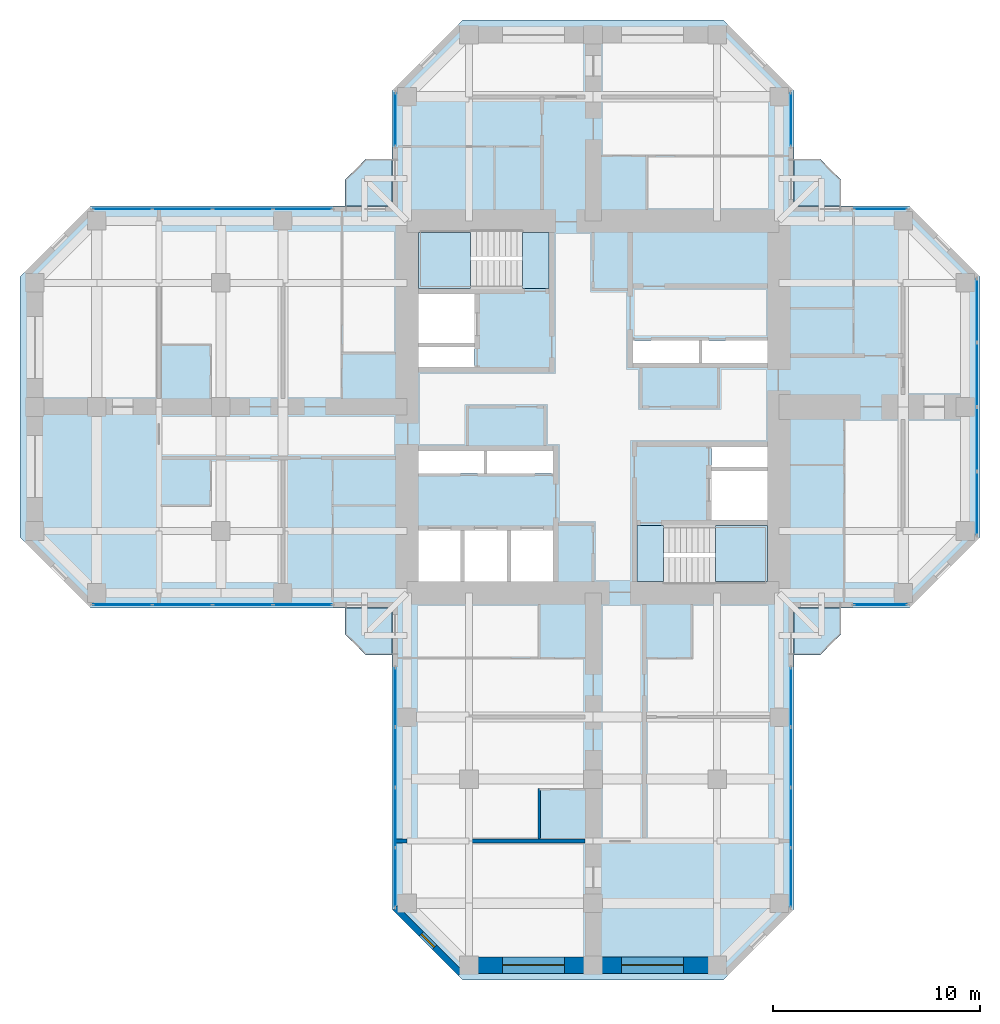
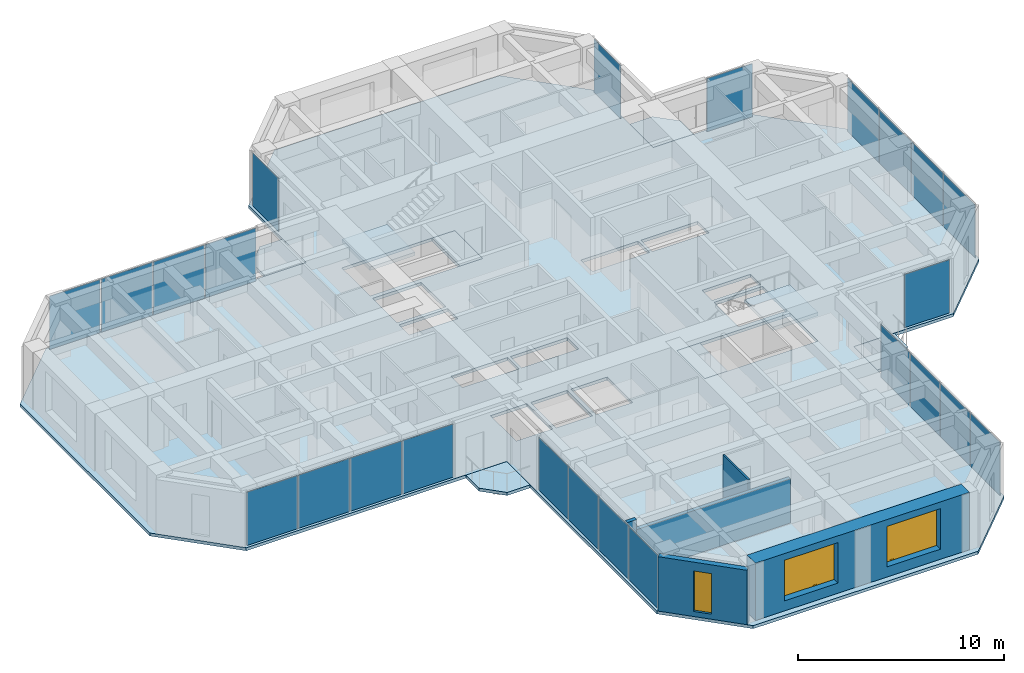
# One storey, part 7 of 14: 24 plates, 9 slabs, 5 walls, 3 windows, 3 openings, 11 elements without a shape of their own.
"""IFC4 building model written with IfcOpenShell, lengths in metres."""

from ifc_helpers import new_model, si_unit, direction, frame, frame_2d, origin, origin_2d, place, context, subcontext, project, spatial, polyline, rectangle, hollow_rectangle, outline, extrude, material, layer, layer_set, constituent, constituent_set, type_object, element, fill, aggregate, save


model = new_model("IFC4")

# Units and contexts
model_context = context("Model", 3, precision=1e-05, world=origin(), true_north=direction((0.0, 1.0)))
body_context = subcontext(model_context, "Body", "Model", "MODEL_VIEW")
ifc_project = project(units=[si_unit("LENGTHUNIT", "METRE"), si_unit("AREAUNIT", "SQUARE_METRE"), si_unit("VOLUMEUNIT", "CUBIC_METRE"), si_unit("PLANEANGLEUNIT", "RADIAN"), si_unit("MASSUNIT", "GRAM", prefix="KILO")], contexts=[model_context])

# Site, building, storey
site_placement = place(None, origin())
site = spatial("IfcSite", under=ifc_project, at=site_placement, CompositionType="ELEMENT")
building_placement = place(site_placement, origin())
building = spatial("IfcBuilding", under=site, at=building_placement, Name="Torre Cruceta", CompositionType="ELEMENT")
storey_placement = place(building_placement, frame((0.0, 0.0, 186.5)))
storey = spatial("IfcBuildingStorey", under=building, at=storey_placement, Name="L46", CompositionType="ELEMENT", Elevation=186.5)

# Slabs
ifc_material_1 = material(Name="Concrete G35 (fck 35 MPa)", Category="concrete")
ifc_layer_1 = layer(ifc_material_1, 0.179931640625)
ifc_layer_set_1 = layer_set([ifc_layer_1], Name="Concrete G35 (fck 35 MPa)")
slab_type_1 = type_object("IfcSlabType", Name="BALCONY SLAB 180", PredefinedType="USERDEFINED", material=ifc_layer_set_1)
slab_1_placement = place(storey_placement, frame((0.0, 0.0, -0.179931640625)))
element("IfcSlab", 1, at=slab_1_placement, inside=storey, type_object=slab_type_1, Name="Balcony slab L46 N", ObjectType="BALCONY", PredefinedType="USERDEFINED", context=body_context, shape_type="SweptSolid", body=[
    extrude(outline(polyline([(-12.0, 11.0), (-11.0, 12.0), (-9.719970703125, 12.0), (-9.719970703125, 9.719970703125), (-12.0, 9.719970703125), (-12.0, 11.0)])), origin(), (0.0, 0.0, 1.0), 0.179931640625),
])
slab_2_placement = place(storey_placement, frame((0.0, 0.0, -0.179931640625)))
element("IfcSlab", 2, at=slab_2_placement, inside=storey, type_object=slab_type_1, Name="Balcony slab L46 E", ObjectType="BALCONY", PredefinedType="USERDEFINED", context=body_context, shape_type="SweptSolid", body=[
    extrude(outline(polyline([(11.0, 12.0), (12.0, 11.0), (12.0, 9.719970703125), (9.719970703125, 9.719970703125), (9.719970703125, 12.0), (11.0, 12.0)])), origin(), (0.0, 0.0, 1.0), 0.179931640625),
])
slab_3_placement = place(storey_placement, frame((0.0, 0.0, -0.179931640625)))
element("IfcSlab", 3, at=slab_3_placement, inside=storey, type_object=slab_type_1, Name="Balcony slab L46 S", ObjectType="BALCONY", PredefinedType="USERDEFINED", context=body_context, shape_type="SweptSolid", body=[
    extrude(outline(polyline([(12.0, -11.0), (11.0, -12.0), (9.719970703125, -12.0), (9.719970703125, -9.719970703125), (12.0, -9.719970703125), (12.0, -11.0)])), origin(), (0.0, 0.0, 1.0), 0.179931640625),
])
slab_4_placement = place(storey_placement, frame((0.0, 0.0, -0.179931640625)))
element("IfcSlab", 4, at=slab_4_placement, inside=storey, type_object=slab_type_1, Name="Balcony slab L46 W", ObjectType="BALCONY", PredefinedType="USERDEFINED", context=body_context, shape_type="SweptSolid", body=[
    extrude(outline(polyline([(-11.0, -12.0), (-12.0, -11.0), (-12.0, -9.719970703125), (-9.719970703125, -9.719970703125), (-9.719970703125, -12.0), (-11.0, -12.0)])), origin(), (0.0, 0.0, 1.0), 0.179931640625),
])

# Curtain wall, plate
ifc_material_2 = material(Name="Aluminium unitised curtain wall", Category="aluminium")
curtain_wall_type = type_object("IfcCurtainWallType", Name="CURTAIN WALL CW-C CO-LIVING", PredefinedType="USERDEFINED", material=ifc_material_2)
curtain_wall_1_placement = place(storey_placement, origin())
curtain_wall_1 = element("IfcCurtainWall", 5, at=curtain_wall_1_placement, inside=storey, type_object=curtain_wall_type, Name="CW-C L46 E tip 02", ObjectType="UNITISED", PredefinedType="USERDEFINED")
ifc_material_3 = material(Name="Laminated insulating glass unit, diagonal frit 50 %", Category="glass")
ifc_material_4 = material(Name="Laminated insulating glass unit, diagonal frit 50 %", Category="glass")
ifc_layer_2 = layer(ifc_material_4, 0.030029296875)
ifc_layer_set_2 = layer_set([ifc_layer_2], Name="Laminated insulating glass unit, diagonal frit 50 %")
plate_type_1 = type_object("IfcPlateType", Name="CW-C OPERABLE VENT PANEL 30", PredefinedType="CURTAIN_PANEL", material=ifc_layer_set_2)
plate_1_placement = place(storey_placement, frame((18.570068359375, -1.55908203125, 0.010009765625), z_axis=(0.0, 0.0, 1.0), x_axis=(0.0, 1.0, 0.0)))
plate_1 = element("IfcPlate", 6, at=plate_1_placement, type_object=plate_type_1, material=ifc_material_3, Name="CW-C vent 2", PredefinedType="CURTAIN_PANEL", context=body_context, shape_type="SweptSolid", body=[
    extrude(rectangle(XDim=3.05810546875, YDim=0.030029296875, at=origin_2d()), origin(), (0.0, 0.0, 1.0), 3.14990234375),
])

curtain_wall_2_placement = place(storey_placement, origin())
curtain_wall_2 = element("IfcCurtainWall", 7, at=curtain_wall_2_placement, inside=storey, type_object=curtain_wall_type, Name="CW-C L46 W side 10", ObjectType="UNITISED", PredefinedType="USERDEFINED")
plate_2_placement = place(storey_placement, frame((-16.94482421875, 9.570068359375, 0.010009765625), z_axis=(0.0, 0.0, 1.0), x_axis=(-1.0, 0.0, 0.0)))
plate_2 = element("IfcPlate", 8, at=plate_2_placement, type_object=plate_type_1, material=ifc_material_3, Name="CW-C vent 2", PredefinedType="CURTAIN_PANEL", context=body_context, shape_type="SweptSolid", body=[
    extrude(rectangle(XDim=2.8564453125, YDim=0.030029296875, at=origin_2d()), origin(), (0.0, 0.0, 1.0), 3.14990234375),
])

curtain_wall_3_placement = place(storey_placement, origin())
curtain_wall_3 = element("IfcCurtainWall", 9, at=curtain_wall_3_placement, inside=storey, type_object=curtain_wall_type, Name="CW-C L46 W side 14", ObjectType="UNITISED", PredefinedType="USERDEFINED")
plate_3_placement = place(storey_placement, frame((-19.861328125, -9.570068359375, 0.010009765625), z_axis=(0.0, 0.0, 1.0), x_axis=(1.0, 0.0, 0.0)))
plate_3 = element("IfcPlate", 10, at=plate_3_placement, type_object=plate_type_1, material=ifc_material_3, Name="CW-C vent 2", PredefinedType="CURTAIN_PANEL", context=body_context, shape_type="SweptSolid", body=[
    extrude(rectangle(XDim=2.8564453125, YDim=0.030029296875, at=origin_2d()), origin(), (0.0, 0.0, 1.0), 3.14990234375),
])

curtain_wall_4_placement = place(storey_placement, origin())
curtain_wall_4 = element("IfcCurtainWall", 11, at=curtain_wall_4_placement, inside=storey, type_object=curtain_wall_type, Name="CW-C L46 S side 15", ObjectType="UNITISED", PredefinedType="USERDEFINED")
plate_4_placement = place(storey_placement, frame((-9.570068359375, -16.94482421875, 0.010009765625), z_axis=(0.0, 0.0, 1.0), x_axis=(0.0, -1.0, 0.0)))
plate_4 = element("IfcPlate", 12, at=plate_4_placement, type_object=plate_type_1, material=ifc_material_3, Name="CW-C vent 2", PredefinedType="CURTAIN_PANEL", context=body_context, shape_type="SweptSolid", body=[
    extrude(rectangle(XDim=2.8564453125, YDim=0.030029296875, at=origin_2d()), origin(), (0.0, 0.0, 1.0), 3.14990234375),
])

curtain_wall_5_placement = place(storey_placement, origin())
curtain_wall_5 = element("IfcCurtainWall", 13, at=curtain_wall_5_placement, inside=storey, type_object=curtain_wall_type, Name="CW-C L46 S side 19", ObjectType="UNITISED", PredefinedType="USERDEFINED")
plate_5_placement = place(storey_placement, frame((9.570068359375, -19.861328125, 0.010009765625), z_axis=(0.0, 0.0, 1.0), x_axis=(0.0, 1.0, 0.0)))
plate_5 = element("IfcPlate", 14, at=plate_5_placement, type_object=plate_type_1, material=ifc_material_3, Name="CW-C vent 2", PredefinedType="CURTAIN_PANEL", context=body_context, shape_type="SweptSolid", body=[
    extrude(rectangle(XDim=2.8564453125, YDim=0.030029296875, at=origin_2d()), origin(), (0.0, 0.0, 1.0), 3.14990234375),
])

curtain_wall_6_placement = place(storey_placement, origin())
curtain_wall_6 = element("IfcCurtainWall", 15, at=curtain_wall_6_placement, inside=storey, type_object=curtain_wall_type, Name="CW-C L46 E side 00", ObjectType="UNITISED", PredefinedType="USERDEFINED")
ifc_material_5 = material(Name="Laminated insulating glass unit, diagonal frit 50 %", Category="glass")
ifc_layer_3 = layer(ifc_material_5, 0.030029296875)
ifc_layer_set_3 = layer_set([ifc_layer_3], Name="Laminated insulating glass unit, diagonal frit 50 %")
plate_type_2 = type_object("IfcPlateType", Name="CW-C PANEL 30", PredefinedType="CURTAIN_PANEL", material=ifc_layer_set_3)
plate_6_placement = place(storey_placement, frame((13.903076171875, -9.570068359375, 0.010009765625), z_axis=(0.0, 0.0, 1.0), x_axis=(1.0, 0.0, 0.0)))
plate_6 = element("IfcPlate", 16, at=plate_6_placement, type_object=plate_type_2, material=ifc_material_3, Name="CW-C panel 1", PredefinedType="CURTAIN_PANEL", context=body_context, shape_type="SweptSolid", body=[
    extrude(rectangle(XDim=2.546142578125, YDim=0.030029296875, at=origin_2d()), origin(), (0.0, 0.0, 1.0), 3.14990234375),
])
aggregate(curtain_wall_6, [plate_6])

# Plate
plate_7_placement = place(storey_placement, frame((18.570068359375, -4.662109375, 0.010009765625), z_axis=(0.0, 0.0, 1.0), x_axis=(0.0, 1.0, 0.0)))
plate_7 = element("IfcPlate", 17, at=plate_7_placement, type_object=plate_type_2, material=ifc_material_3, Name="CW-C panel 1", PredefinedType="CURTAIN_PANEL", context=body_context, shape_type="SweptSolid", body=[
    extrude(rectangle(XDim=3.028076171875, YDim=0.030029296875, at=origin_2d()), origin(), (0.0, 0.0, 1.0), 3.14990234375),
])

ifc_material_6 = material(Name="Laminated insulating glass unit, low-iron clear", Category="glass")
plate_8_placement = place(storey_placement, frame((18.570068359375, 1.55908203125, 0.010009765625), z_axis=(0.0, 0.0, 1.0), x_axis=(0.0, 1.0, 0.0)))
plate_8 = element("IfcPlate", 18, at=plate_8_placement, type_object=plate_type_2, material=ifc_material_6, Name="CW-C panel 3", PredefinedType="CURTAIN_PANEL", context=body_context, shape_type="SweptSolid", body=[
    extrude(rectangle(XDim=3.05810546875, YDim=0.030029296875, at=origin_2d()), origin(), (0.0, 0.0, 1.0), 3.14990234375),
])

plate_9_placement = place(storey_placement, frame((18.570068359375, 4.662109375, 0.010009765625), z_axis=(0.0, 0.0, 1.0), x_axis=(0.0, 1.0, 0.0)))
plate_9 = element("IfcPlate", 19, at=plate_9_placement, type_object=plate_type_2, material=ifc_material_6, Name="CW-C panel 4", PredefinedType="CURTAIN_PANEL", context=body_context, shape_type="SweptSolid", body=[
    extrude(rectangle(XDim=3.028076171875, YDim=0.030029296875, at=origin_2d()), origin(), (0.0, 0.0, 1.0), 3.14990234375),
])

aggregate(curtain_wall_1, [plate_7, plate_1, plate_8, plate_9])

# Curtain wall, plate
curtain_wall_7_placement = place(storey_placement, origin())
curtain_wall_7 = element("IfcCurtainWall", 20, at=curtain_wall_7_placement, inside=storey, type_object=curtain_wall_type, Name="CW-C L46 E side 04", ObjectType="UNITISED", PredefinedType="USERDEFINED")
plate_10_placement = place(storey_placement, frame((13.903076171875, 9.570068359375, 0.010009765625), z_axis=(0.0, 0.0, 1.0), x_axis=(-1.0, 0.0, 0.0)))
plate_10 = element("IfcPlate", 21, at=plate_10_placement, type_object=plate_type_2, material=ifc_material_3, Name="CW-C panel 1", PredefinedType="CURTAIN_PANEL", context=body_context, shape_type="SweptSolid", body=[
    extrude(rectangle(XDim=2.546142578125, YDim=0.030029296875, at=origin_2d()), origin(), (0.0, 0.0, 1.0), 3.14990234375),
])
aggregate(curtain_wall_7, [plate_10])

curtain_wall_8_placement = place(storey_placement, origin())
curtain_wall_8 = element("IfcCurtainWall", 22, at=curtain_wall_8_placement, inside=storey, type_object=curtain_wall_type, Name="CW-C L46 N side 05", ObjectType="UNITISED", PredefinedType="USERDEFINED")
plate_11_placement = place(storey_placement, frame((9.570068359375, 13.903076171875, 0.010009765625), z_axis=(0.0, 0.0, 1.0), x_axis=(0.0, 1.0, 0.0)))
plate_11 = element("IfcPlate", 23, at=plate_11_placement, type_object=plate_type_2, material=ifc_material_3, Name="CW-C panel 1", PredefinedType="CURTAIN_PANEL", context=body_context, shape_type="SweptSolid", body=[
    extrude(rectangle(XDim=2.546142578125, YDim=0.030029296875, at=origin_2d()), origin(), (0.0, 0.0, 1.0), 3.14990234375),
])
aggregate(curtain_wall_8, [plate_11])

curtain_wall_9_placement = place(storey_placement, origin())
curtain_wall_9 = element("IfcCurtainWall", 24, at=curtain_wall_9_placement, inside=storey, type_object=curtain_wall_type, Name="CW-C L46 N side 09", ObjectType="UNITISED", PredefinedType="USERDEFINED")
plate_12_placement = place(storey_placement, frame((-9.570068359375, 13.903076171875, 0.010009765625), z_axis=(0.0, 0.0, 1.0), x_axis=(0.0, -1.0, 0.0)))
plate_12 = element("IfcPlate", 25, at=plate_12_placement, type_object=plate_type_2, material=ifc_material_3, Name="CW-C panel 1", PredefinedType="CURTAIN_PANEL", context=body_context, shape_type="SweptSolid", body=[
    extrude(rectangle(XDim=2.546142578125, YDim=0.030029296875, at=origin_2d()), origin(), (0.0, 0.0, 1.0), 3.14990234375),
])
aggregate(curtain_wall_9, [plate_12])

# Plate
plate_13_placement = place(storey_placement, frame((-14.043212890625, 9.570068359375, 0.010009765625), z_axis=(0.0, 0.0, 1.0), x_axis=(-1.0, 0.0, 0.0)))
plate_13 = element("IfcPlate", 26, at=plate_13_placement, type_object=plate_type_2, material=ifc_material_3, Name="CW-C panel 1", PredefinedType="CURTAIN_PANEL", context=body_context, shape_type="SweptSolid", body=[
    extrude(rectangle(XDim=2.826416015625, YDim=0.030029296875, at=origin_2d()), origin(), (0.0, 0.0, 1.0), 3.14990234375),
])

plate_14_placement = place(storey_placement, frame((-19.861328125, 9.570068359375, 0.010009765625), z_axis=(0.0, 0.0, 1.0), x_axis=(-1.0, 0.0, 0.0)))
plate_14 = element("IfcPlate", 27, at=plate_14_placement, type_object=plate_type_2, material=ifc_material_6, Name="CW-C panel 3", PredefinedType="CURTAIN_PANEL", context=body_context, shape_type="SweptSolid", body=[
    extrude(rectangle(XDim=2.8564453125, YDim=0.030029296875, at=origin_2d()), origin(), (0.0, 0.0, 1.0), 3.14990234375),
])

plate_15_placement = place(storey_placement, frame((-22.762939453125, 9.570068359375, 0.010009765625), z_axis=(0.0, 0.0, 1.0), x_axis=(-1.0, 0.0, 0.0)))
plate_15 = element("IfcPlate", 28, at=plate_15_placement, type_object=plate_type_2, material=ifc_material_6, Name="CW-C panel 4", PredefinedType="CURTAIN_PANEL", context=body_context, shape_type="SweptSolid", body=[
    extrude(rectangle(XDim=2.826416015625, YDim=0.030029296875, at=origin_2d()), origin(), (0.0, 0.0, 1.0), 3.14990234375),
])

aggregate(curtain_wall_2, [plate_13, plate_2, plate_14, plate_15])

plate_16_placement = place(storey_placement, frame((-22.762939453125, -9.570068359375, 0.010009765625), z_axis=(0.0, 0.0, 1.0), x_axis=(1.0, 0.0, 0.0)))
plate_16 = element("IfcPlate", 29, at=plate_16_placement, type_object=plate_type_2, material=ifc_material_3, Name="CW-C panel 1", PredefinedType="CURTAIN_PANEL", context=body_context, shape_type="SweptSolid", body=[
    extrude(rectangle(XDim=2.826416015625, YDim=0.030029296875, at=origin_2d()), origin(), (0.0, 0.0, 1.0), 3.14990234375),
])

plate_17_placement = place(storey_placement, frame((-16.94482421875, -9.570068359375, 0.010009765625), z_axis=(0.0, 0.0, 1.0), x_axis=(1.0, 0.0, 0.0)))
plate_17 = element("IfcPlate", 30, at=plate_17_placement, type_object=plate_type_2, material=ifc_material_6, Name="CW-C panel 3", PredefinedType="CURTAIN_PANEL", context=body_context, shape_type="SweptSolid", body=[
    extrude(rectangle(XDim=2.8564453125, YDim=0.030029296875, at=origin_2d()), origin(), (0.0, 0.0, 1.0), 3.14990234375),
])

plate_18_placement = place(storey_placement, frame((-14.043212890625, -9.570068359375, 0.010009765625), z_axis=(0.0, 0.0, 1.0), x_axis=(1.0, 0.0, 0.0)))
plate_18 = element("IfcPlate", 31, at=plate_18_placement, type_object=plate_type_2, material=ifc_material_6, Name="CW-C panel 4", PredefinedType="CURTAIN_PANEL", context=body_context, shape_type="SweptSolid", body=[
    extrude(rectangle(XDim=2.826416015625, YDim=0.030029296875, at=origin_2d()), origin(), (0.0, 0.0, 1.0), 3.14990234375),
])

aggregate(curtain_wall_3, [plate_16, plate_3, plate_17, plate_18])

plate_19_placement = place(storey_placement, frame((-9.570068359375, -14.043212890625, 0.010009765625), z_axis=(0.0, 0.0, 1.0), x_axis=(0.0, -1.0, 0.0)))
plate_19 = element("IfcPlate", 32, at=plate_19_placement, type_object=plate_type_2, material=ifc_material_3, Name="CW-C panel 1", PredefinedType="CURTAIN_PANEL", context=body_context, shape_type="SweptSolid", body=[
    extrude(rectangle(XDim=2.826416015625, YDim=0.030029296875, at=origin_2d()), origin(), (0.0, 0.0, 1.0), 3.14990234375),
])

plate_20_placement = place(storey_placement, frame((-9.570068359375, -19.861328125, 0.010009765625), z_axis=(0.0, 0.0, 1.0), x_axis=(0.0, -1.0, 0.0)))
plate_20 = element("IfcPlate", 33, at=plate_20_placement, type_object=plate_type_2, material=ifc_material_6, Name="CW-C panel 3", PredefinedType="CURTAIN_PANEL", context=body_context, shape_type="SweptSolid", body=[
    extrude(rectangle(XDim=2.8564453125, YDim=0.030029296875, at=origin_2d()), origin(), (0.0, 0.0, 1.0), 3.14990234375),
])

plate_21_placement = place(storey_placement, frame((-9.570068359375, -22.762939453125, 0.010009765625), z_axis=(0.0, 0.0, 1.0), x_axis=(0.0, -1.0, 0.0)))
plate_21 = element("IfcPlate", 34, at=plate_21_placement, type_object=plate_type_2, material=ifc_material_6, Name="CW-C panel 4", PredefinedType="CURTAIN_PANEL", context=body_context, shape_type="SweptSolid", body=[
    extrude(rectangle(XDim=2.826416015625, YDim=0.030029296875, at=origin_2d()), origin(), (0.0, 0.0, 1.0), 3.14990234375),
])

aggregate(curtain_wall_4, [plate_19, plate_4, plate_20, plate_21])

plate_22_placement = place(storey_placement, frame((9.570068359375, -22.762939453125, 0.010009765625), z_axis=(0.0, 0.0, 1.0), x_axis=(0.0, 1.0, 0.0)))
plate_22 = element("IfcPlate", 35, at=plate_22_placement, type_object=plate_type_2, material=ifc_material_3, Name="CW-C panel 1", PredefinedType="CURTAIN_PANEL", context=body_context, shape_type="SweptSolid", body=[
    extrude(rectangle(XDim=2.826416015625, YDim=0.030029296875, at=origin_2d()), origin(), (0.0, 0.0, 1.0), 3.14990234375),
])

plate_23_placement = place(storey_placement, frame((9.570068359375, -16.94482421875, 0.010009765625), z_axis=(0.0, 0.0, 1.0), x_axis=(0.0, 1.0, 0.0)))
plate_23 = element("IfcPlate", 36, at=plate_23_placement, type_object=plate_type_2, material=ifc_material_6, Name="CW-C panel 3", PredefinedType="CURTAIN_PANEL", context=body_context, shape_type="SweptSolid", body=[
    extrude(rectangle(XDim=2.8564453125, YDim=0.030029296875, at=origin_2d()), origin(), (0.0, 0.0, 1.0), 3.14990234375),
])

plate_24_placement = place(storey_placement, frame((9.570068359375, -14.043212890625, 0.010009765625), z_axis=(0.0, 0.0, 1.0), x_axis=(0.0, 1.0, 0.0)))
plate_24 = element("IfcPlate", 37, at=plate_24_placement, type_object=plate_type_2, material=ifc_material_6, Name="CW-C panel 4", PredefinedType="CURTAIN_PANEL", context=body_context, shape_type="SweptSolid", body=[
    extrude(rectangle(XDim=2.826416015625, YDim=0.030029296875, at=origin_2d()), origin(), (0.0, 0.0, 1.0), 3.14990234375),
])

aggregate(curtain_wall_5, [plate_22, plate_5, plate_23, plate_24])

# Slab
ifc_material_7 = material(Name="Concrete G35 (fck 35 MPa)", Category="concrete")
ifc_layer_4 = layer(ifc_material_7, 0.179931640625)
ifc_layer_set_4 = layer_set([ifc_layer_4], Name="Concrete G35 (fck 35 MPa)")
slab_type_2 = type_object("IfcSlabType", Name="FLOOR SLAB 180", PredefinedType="FLOOR", material=ifc_layer_set_4)
slab_5_placement = place(storey_placement, frame((0.0, 0.0, -0.179931640625)))
element("IfcSlab", 38, at=slab_5_placement, inside=storey, type_object=slab_type_2, Name="Floor Slab L46", PredefinedType="FLOOR", context=body_context, shape_type="SweptSolid", body=[
    extrude(outline(polyline([(9.719970703125, -9.719970703125), (9.719970703125, -24.29833984375), (6.29833984375, -27.719970703125), (-6.29833984375, -27.719970703125), (-9.719970703125, -24.29833984375), (-9.719970703125, -9.719970703125), (-24.29833984375, -9.719970703125), (-27.719970703125, -6.29833984375), (-27.719970703125, 6.29833984375), (-24.29833984375, 9.719970703125), (-9.719970703125, 9.719970703125), (-9.719970703125, 15.29833984375), (-6.29833984375, 18.719970703125), (6.29833984375, 18.719970703125), (9.719970703125, 15.29833984375), (9.719970703125, 9.719970703125), (15.29833984375, 9.719970703125), (18.719970703125, 6.29833984375), (18.719970703125, -6.29833984375), (15.29833984375, -9.719970703125), (9.719970703125, -9.719970703125)]), holes=[polyline([(1.925048828125, 2.125), (5.125, 2.125), (5.125, 3.22509765625), (1.925048828125, 3.22509765625), (1.925048828125, 2.125)]), polyline([(5.27490234375, 2.125), (8.449951171875, 2.125), (8.449951171875, 3.22509765625), (5.27490234375, 3.22509765625), (5.27490234375, 2.125)]), polyline([(-8.449951171875, 3.10009765625), (-5.72509765625, 3.10009765625), (-5.72509765625, 5.47509765625), (-8.449951171875, 5.47509765625), (-8.449951171875, 3.10009765625)]), polyline([(-8.449951171875, 1.925048828125), (-5.72509765625, 1.925048828125), (-5.72509765625, 2.89990234375), (-8.449951171875, 2.89990234375), (-8.449951171875, 1.925048828125)]), polyline([(-3.966552734375, -8.449951171875), (-1.925048828125, -8.449951171875), (-1.925048828125, -5.97509765625), (-3.966552734375, -5.97509765625), (-3.966552734375, -8.449951171875)]), polyline([(-6.208251953125, -8.449951171875), (-4.166748046875, -8.449951171875), (-4.166748046875, -5.97509765625), (-6.208251953125, -5.97509765625), (-6.208251953125, -8.449951171875)]), polyline([(-8.449951171875, -8.449951171875), (-6.408447265625, -8.449951171875), (-6.408447265625, -5.97509765625), (-8.449951171875, -5.97509765625), (-8.449951171875, -8.449951171875)]), polyline([(-5.125, -3.22509765625), (-1.925048828125, -3.22509765625), (-1.925048828125, -2.125), (-5.125, -2.125), (-5.125, -3.22509765625)]), polyline([(-8.449951171875, -3.22509765625), (-5.27490234375, -3.22509765625), (-5.27490234375, -2.125), (-8.449951171875, -2.125), (-8.449951171875, -3.22509765625)]), polyline([(5.72509765625, -5.47509765625), (8.449951171875, -5.47509765625), (8.449951171875, -3.10009765625), (5.72509765625, -3.10009765625), (5.72509765625, -5.47509765625)]), polyline([(5.72509765625, -2.89990234375), (8.449951171875, -2.89990234375), (8.449951171875, -1.925048828125), (5.72509765625, -1.925048828125), (5.72509765625, -2.89990234375)]), polyline([(-8.449951171875, 5.72509765625), (-8.449951171875, 8.449951171875), (-3.39990234375, 8.449951171875), (-2.125, 8.449951171875), (-2.125, 5.72509765625), (-3.39990234375, 5.72509765625), (-8.449951171875, 5.72509765625)]), polyline([(2.125, -5.72509765625), (3.39990234375, -5.72509765625), (8.449951171875, -5.72509765625), (8.449951171875, -8.449951171875), (3.39990234375, -8.449951171875), (2.125, -8.449951171875), (2.125, -5.72509765625)])]), origin(), (0.0, 0.0, 1.0), 0.179931640625),
])

# Stair, slab
ifc_material_8 = material(Name="Concrete G30 (fck 30 MPa)", Category="concrete")
stair_type = type_object("IfcStairType", Name="STAIR HALF-TURN 1300", PredefinedType="HALF_TURN_STAIR", material=ifc_material_8)
stair_1_placement = place(storey_placement, origin())
stair_1 = element("IfcStair", 39, at=stair_1_placement, inside=storey, type_object=stair_type, Name="Stair ST1 L46", PredefinedType="HALF_TURN_STAIR")
ifc_material_9 = material(Name="Concrete G30 (fck 30 MPa)", Category="concrete")
ifc_layer_5 = layer(ifc_material_9, 0.199951171875)
ifc_layer_set_5 = layer_set([ifc_layer_5], Name="Concrete G30 (fck 30 MPa)")
slab_type_3 = type_object("IfcSlabType", Name="STAIR LANDING 200", PredefinedType="LANDING", material=ifc_layer_set_5)
slab_6_placement = place(storey_placement, frame((0.0, 0.0, 1.5)))
slab_6 = element("IfcSlab", 40, at=slab_6_placement, type_object=slab_type_3, Name="ST1 landing 1", PredefinedType="LANDING", context=body_context, shape_type="SweptSolid", body=[
    extrude(outline(polyline([(-8.449951171875, 5.72509765625), (-5.919921875, 5.72509765625), (-5.919921875, 8.449951171875), (-8.449951171875, 8.449951171875), (-8.449951171875, 5.72509765625)])), origin(), (0.0, 0.0, 1.0), 0.199951171875),
])
aggregate(stair_1, [slab_6])

stair_2_placement = place(storey_placement, origin())
stair_2 = element("IfcStair", 41, at=stair_2_placement, inside=storey, type_object=stair_type, Name="Stair ST2 L46", PredefinedType="HALF_TURN_STAIR")
slab_7_placement = place(storey_placement, frame((0.0, 0.0, 1.5)))
slab_7 = element("IfcSlab", 42, at=slab_7_placement, type_object=slab_type_3, Name="ST2 landing 1", PredefinedType="LANDING", context=body_context, shape_type="SweptSolid", body=[
    extrude(outline(polyline([(5.919921875, -8.449951171875), (8.449951171875, -8.449951171875), (8.449951171875, -5.72509765625), (5.919921875, -5.72509765625), (5.919921875, -8.449951171875)])), origin(), (0.0, 0.0, 1.0), 0.199951171875),
])
aggregate(stair_2, [slab_7])

# Slabs
slab_8_placement = place(storey_placement, frame((0.0, 0.0, -0.199951171875)))
element("IfcSlab", 43, at=slab_8_placement, inside=storey, type_object=slab_type_3, Name="Stair ST1 floor landing L46", PredefinedType="LANDING", context=body_context, shape_type="SweptSolid", body=[
    extrude(outline(polyline([(-2.125, 8.449951171875), (-2.125, 5.72509765625), (-3.39990234375, 5.72509765625), (-3.39990234375, 8.449951171875), (-2.125, 8.449951171875)])), origin(), (0.0, 0.0, 1.0), 0.199951171875),
])
slab_9_placement = place(storey_placement, frame((0.0, 0.0, -0.199951171875)))
element("IfcSlab", 44, at=slab_9_placement, inside=storey, type_object=slab_type_3, Name="Stair ST2 floor landing L46", PredefinedType="LANDING", context=body_context, shape_type="SweptSolid", body=[
    extrude(outline(polyline([(2.125, -8.449951171875), (2.125, -5.72509765625), (3.39990234375, -5.72509765625), (3.39990234375, -8.449951171875), (2.125, -8.449951171875)])), origin(), (0.0, 0.0, 1.0), 0.199951171875),
])

# Wall
ifc_material_10 = material(Name="Water-resistant plasterboard on steel studs", Category="steel")
ifc_layer_6 = layer(ifc_material_10, 0.10009765625)
ifc_layer_set_6 = layer_set([ifc_layer_6], Name="Water-resistant plasterboard on steel studs")
wall_type_1 = type_object("IfcWallType", Name="BATHROOM WALL 100", PredefinedType="PARTITIONING", material=ifc_layer_set_6)
wall_1_placement = place(storey_placement, frame((-2.60009765625, -18.449951171875, 0.0), z_axis=(0.0, 0.0, 1.0), x_axis=(0.0, -1.0, 0.0)))
element("IfcWall", 45, at=wall_1_placement, inside=storey, type_object=wall_type_1, Name="PT4 L46-S-U2RBB", PredefinedType="PARTITIONING", context=body_context, shape_type="SweptSolid", body=[
    extrude(rectangle(XDim=2.449951171875, YDim=0.10009765625, at=frame_2d((1.22509765625, 0.0))), origin(), (0.0, 0.0, 1.0), 3.219970703125),
])

# Wall, opening, window
ifc_material_11 = material(Name="Concrete G30 (fck 30 MPa)", Category="concrete")
ifc_layer_7 = layer(ifc_material_11, 0.300048828125)
ifc_layer_set_7 = layer_set([ifc_layer_7], Name="Concrete G30 (fck 30 MPa)")
wall_type_2 = type_object("IfcWallType", Name="EXPOSED CONCRETE FACADE WALL 300", PredefinedType="SOLIDWALL", material=ifc_layer_set_7)
wall_2_placement = place(storey_placement, frame((-9.570068359375, -24.236083984375, 0.0), z_axis=(0.0, 0.0, 1.0), x_axis=(0.707134062067, -0.707079499254, 0.0)))
wall_2 = element("IfcWall", 46, at=wall_2_placement, inside=storey, type_object=wall_type_2, Name="EW1 facade wall L46 S chamfer 16", PredefinedType="SOLIDWALL", context=body_context, shape_type="SweptSolid", body=[
    extrude(rectangle(XDim=4.474609375, YDim=0.300048828125, at=frame_2d((2.2373046875, 0.0))), origin(), (0.0, 0.0, 1.0), 3.219970703125),
])
opening_1_placement = place(wall_2_placement, frame((1.787109375, 0.0, 0.300048828125)))
opening_1 = element("IfcOpeningElement", 47, at=opening_1_placement, cuts=wall_2, Name="Opening WN5", PredefinedType="OPENING", context=body_context, shape_type="SweptSolid", body=[
    extrude(rectangle(XDim=0.89990234375, YDim=2.39990234375, at=frame_2d((0.449951171875, 1.199951171875))), frame((0.0, 0.159912109375, 0.0), z_axis=(0.0, -1.0, 0.0), x_axis=(1.0, 0.0, 0.0)), (0.0, 0.0, 1.0), 0.320068359375),
])
ifc_material_12 = material(Name="Aluminium window frame", Category="aluminium")
ifc_constituent_1 = constituent(ifc_material_12, Name="Frame")
ifc_material_13 = material(Name="Laminated insulating glass unit, low-iron clear", Category="glass")
ifc_constituent_2 = constituent(ifc_material_13, Name="Glazing")
ifc_constituent_set_1 = constituent_set(constituents=[ifc_constituent_1, ifc_constituent_2], Name="Aluminium window")
window_type_1 = type_object("IfcWindowType", Name="CHAMFER SLOT WINDOW 900X2400", PartitioningType="SINGLE_PANEL", PredefinedType="WINDOW", material=ifc_constituent_set_1)
window_1_placement = place(opening_1_placement, origin())
window_1 = element("IfcWindow", 48, at=window_1_placement, inside=storey, type_object=window_type_1, Name="WN5 L46 S 1", OverallHeight=2.39990234375, OverallWidth=0.89990234375, PartitioningType="SINGLE_PANEL", PredefinedType="WINDOW", context=body_context, shape_type="SweptSolid", body=[
    extrude(hollow_rectangle(XDim=0.89990234375, YDim=2.39990234375, WallThickness=0.06005859375, at=frame_2d((0.449951171875, 1.199951171875))), frame((0.0, 0.030029296875, 0.0), z_axis=(0.0, -1.0, 0.0), x_axis=(1.0, 0.0, 0.0)), (0.0, 0.0, 1.0), 0.06005859375),
    extrude(rectangle(XDim=0.77880859375, YDim=2.27880859375, at=frame_2d((0.449951171875, 1.199951171875))), frame((0.0, 0.030029296875, 0.0), z_axis=(0.0, -1.0, 0.0), x_axis=(1.0, 0.0, 0.0)), (0.0, 0.0, 1.0), 0.06005859375),
])
fill(opening_1, window_1)

# Wall, openings, windows
ifc_material_14 = material(Name="Concrete G60 (fck 60 MPa)", Category="concrete")
ifc_layer_8 = layer(ifc_material_14, 0.800048828125)
ifc_layer_set_8 = layer_set([ifc_layer_8], Name="Concrete G60 (fck 60 MPa)")
wall_type_3 = type_object("IfcWallType", Name="NOSE WALL 800 G60", PredefinedType="SHEAR", material=ifc_layer_set_8)
wall_3_placement = place(storey_placement, frame((-6.0, -27.0, 0.0), z_axis=(0.0, 0.0, 1.0), x_axis=(1.0, 0.0, 0.0)))
wall_3 = element("IfcWall", 49, at=wall_3_placement, inside=storey, type_object=wall_type_3, Name="NW2 nose wall L46 S", PredefinedType="SHEAR", context=body_context, shape_type="SweptSolid", body=[
    extrude(rectangle(XDim=12.0, YDim=0.800048828125, at=frame_2d((6.0, 0.0))), origin(), (0.0, 0.0, 1.0), 3.39990234375),
])
opening_2_placement = place(wall_3_placement, frame((1.625, 0.0, 0.60009765625)))
opening_2 = element("IfcOpeningElement", 50, at=opening_2_placement, cuts=wall_3, Name="Opening WN6", PredefinedType="OPENING", context=body_context, shape_type="SweptSolid", body=[
    extrude(rectangle(XDim=3.0, YDim=2.39990234375, at=frame_2d((1.5, 1.199951171875))), frame((0.0, 0.409912109375, 0.0), z_axis=(0.0, -1.0, 0.0), x_axis=(1.0, 0.0, 0.0)), (0.0, 0.0, 1.0), 0.820068359375),
])
opening_3_placement = place(wall_3_placement, frame((7.375, 0.0, 0.60009765625)))
opening_3 = element("IfcOpeningElement", 51, at=opening_3_placement, cuts=wall_3, Name="Opening WN6", PredefinedType="OPENING", context=body_context, shape_type="SweptSolid", body=[
    extrude(rectangle(XDim=3.0, YDim=2.39990234375, at=frame_2d((1.5, 1.199951171875))), frame((0.0, 0.409912109375, 0.0), z_axis=(0.0, -1.0, 0.0), x_axis=(1.0, 0.0, 0.0)), (0.0, 0.0, 1.0), 0.820068359375),
])
ifc_material_15 = material(Name="Aluminium window frame", Category="aluminium")
ifc_constituent_3 = constituent(ifc_material_15, Name="Frame")
ifc_material_16 = material(Name="Laminated insulating glass unit, low-iron clear", Category="glass")
ifc_constituent_4 = constituent(ifc_material_16, Name="Glazing")
ifc_constituent_set_2 = constituent_set(constituents=[ifc_constituent_3, ifc_constituent_4], Name="Aluminium window")
window_type_2 = type_object("IfcWindowType", Name="NOSE WALL WINDOW 3000X2400", PartitioningType="SINGLE_PANEL", PredefinedType="WINDOW", material=ifc_constituent_set_2)
window_2_placement = place(opening_2_placement, origin())
window_2 = element("IfcWindow", 52, at=window_2_placement, inside=storey, type_object=window_type_2, Name="WN6 L46 S 1", OverallHeight=2.39990234375, OverallWidth=3.0, PartitioningType="SINGLE_PANEL", PredefinedType="WINDOW", context=body_context, shape_type="SweptSolid", body=[
    extrude(hollow_rectangle(XDim=3.0, YDim=2.39990234375, WallThickness=0.06005859375, at=frame_2d((1.5, 1.199951171875))), frame((0.0, 0.030029296875, 0.0), z_axis=(0.0, -1.0, 0.0), x_axis=(1.0, 0.0, 0.0)), (0.0, 0.0, 1.0), 0.06005859375),
    extrude(rectangle(XDim=2.87890625, YDim=2.27880859375, at=frame_2d((1.5, 1.199951171875))), frame((0.0, 0.030029296875, 0.0), z_axis=(0.0, -1.0, 0.0), x_axis=(1.0, 0.0, 0.0)), (0.0, 0.0, 1.0), 0.06005859375),
])
fill(opening_2, window_2)
window_3_placement = place(opening_3_placement, origin())
window_3 = element("IfcWindow", 53, at=window_3_placement, inside=storey, type_object=window_type_2, Name="WN6 L46 S 2", OverallHeight=2.39990234375, OverallWidth=3.0, PartitioningType="SINGLE_PANEL", PredefinedType="WINDOW", context=body_context, shape_type="SweptSolid", body=[
    extrude(hollow_rectangle(XDim=3.0, YDim=2.39990234375, WallThickness=0.06005859375, at=frame_2d((1.5, 1.199951171875))), frame((0.0, 0.030029296875, 0.0), z_axis=(0.0, -1.0, 0.0), x_axis=(1.0, 0.0, 0.0)), (0.0, 0.0, 1.0), 0.06005859375),
    extrude(rectangle(XDim=2.87890625, YDim=2.27880859375, at=frame_2d((1.5, 1.199951171875))), frame((0.0, 0.030029296875, 0.0), z_axis=(0.0, -1.0, 0.0), x_axis=(1.0, 0.0, 0.0)), (0.0, 0.0, 1.0), 0.06005859375),
])
fill(opening_3, window_3)

# Walls
ifc_material_17 = material(Name="Concrete G25 (fck 25 MPa)", Category="concrete")
ifc_layer_9 = layer(ifc_material_17, 0.199951171875)
ifc_layer_set_9 = layer_set([ifc_layer_9], Name="Concrete G25 (fck 25 MPa)")
wall_type_4 = type_object("IfcWallType", Name="UNIT SEPARATING WALL 200", PredefinedType="SOLIDWALL", material=ifc_layer_set_9)
wall_4_placement = place(storey_placement, frame((-9.530029296875, -21.0, 0.0), z_axis=(0.0, 0.0, 1.0), x_axis=(1.0, 0.0, 0.0)))
element("IfcWall", 54, at=wall_4_placement, inside=storey, type_object=wall_type_4, Name="PT2 L46-S-ENDa", PredefinedType="SOLIDWALL", context=body_context, shape_type="SweptSolid", body=[
    extrude(rectangle(XDim=0.530029296875, YDim=0.199951171875, at=frame_2d((0.26513671875, 0.0))), origin(), (0.0, 0.0, 1.0), 3.219970703125),
])
wall_5_placement = place(storey_placement, frame((-9.0, -21.0, 0.0), z_axis=(0.0, 0.0, 1.0), x_axis=(1.0, 0.0, 0.0)))
element("IfcWall", 55, at=wall_5_placement, inside=storey, type_object=wall_type_4, Name="PT2 L46-S-ENDa 2", PredefinedType="SOLIDWALL", context=body_context, shape_type="SweptSolid", body=[
    extrude(rectangle(XDim=8.60009765625, YDim=0.199951171875, at=frame_2d((4.300048828125, 0.0))), origin(), (0.0, 0.0, 1.0), 2.6201171875),
])

save(model, "model.ifc")
